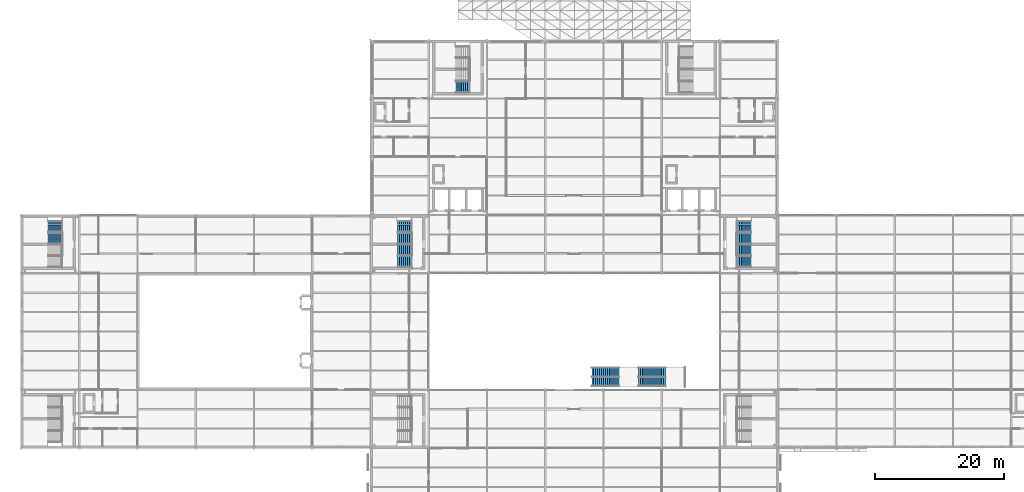
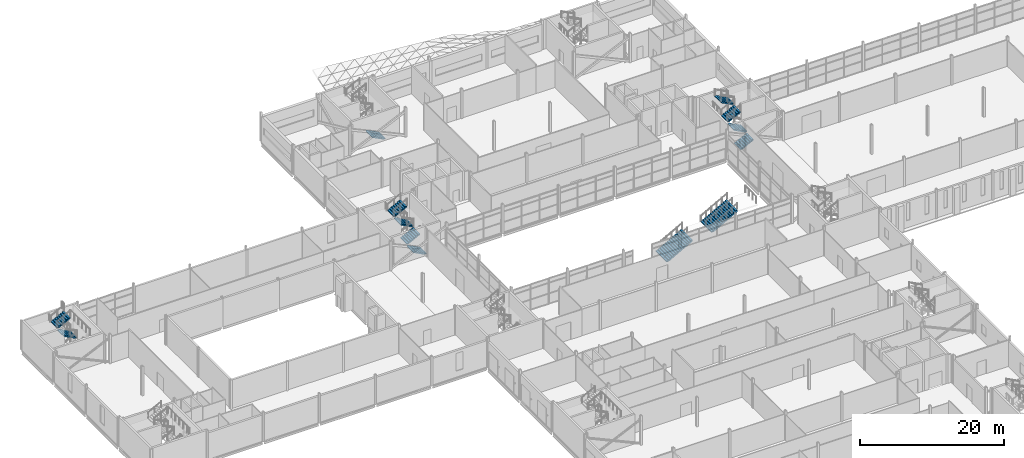
# One storey, part 92 of 112: 13 stair flights, 5 elements without a shape of their own.
"""IFC4 building model written with IfcOpenShell, lengths in metres."""

from ifc_helpers import new_model, si_unit, direction, frame, origin, place, context, subcontext, project, spatial, polyline, outline, extrude, material, type_object, element, aggregate, save


model = new_model("IFC4")

# Units and contexts
model_context = context("Model", 3, precision=1e-05, world=origin(), true_north=direction((0.0, 1.0)))
body_context = subcontext(model_context, "Body", "Model", "MODEL_VIEW")
ifc_project = project(units=[si_unit("LENGTHUNIT", "METRE"), si_unit("AREAUNIT", "SQUARE_METRE"), si_unit("VOLUMEUNIT", "CUBIC_METRE"), si_unit("PLANEANGLEUNIT", "RADIAN"), si_unit("MASSUNIT", "GRAM", prefix="KILO")], contexts=[model_context])

# Site, building, storey
site_placement = place(None, origin())
site = spatial("IfcSite", under=ifc_project, at=site_placement, CompositionType="ELEMENT")
building_placement = place(site_placement, origin())
building = spatial("IfcBuilding", under=site, at=building_placement, Name="Shorebreak Coast Museum", CompositionType="ELEMENT")
storey_placement = place(building_placement, frame((0.0, 0.0, 6.0)))
storey = spatial("IfcBuildingStorey", under=building, at=storey_placement, Name="L01", CompositionType="ELEMENT", Elevation=6.0)

# Stair, stair flights
ifc_material_1 = material(Name="Concrete N40 (40 MPa)", Category="concrete")
stair_type_1 = type_object("IfcStairType", Name="Feature stair run 5 m", PredefinedType="TWO_STRAIGHT_RUN_STAIR", material=ifc_material_1)
stair_1_placement = place(storey_placement, origin())
stair_1 = element("IfcStair", 1, at=stair_1_placement, inside=storey, type_object=stair_type_1, Name="Feature stair FS-L01", PredefinedType="TWO_STRAIGHT_RUN_STAIR")
ifc_material_2 = material(Name="Concrete N40 (40 MPa)", Category="concrete")
stair_flight_type_1 = type_object("IfcStairFlightType", Name="Feature stair flight 15 risers", PredefinedType="STRAIGHT", material=ifc_material_2)
stair_flight_1_placement = place(storey_placement, frame((88.199951171875, 65.0, 0.0), z_axis=(0.0, 0.0, 1.0), x_axis=(1.0, 0.0, 0.0)))
stair_flight_1 = element("IfcStairFlight", 2, at=stair_flight_1_placement, type_object=stair_flight_type_1, Name="FS-L01 flight 1", NumberOfRisers=15, NumberOfTreads=14, PredefinedType="STRAIGHT", RiserHeight=0.166666667, TreadLength=0.3, context=body_context, shape_type="SweptSolid", body=[
    extrude(outline(polyline([(0.0, 0.0), (0.0, 0.166748046875), (0.300048828125, 0.166748046875), (0.300048828125, 0.333251953125), (0.60009765625, 0.333251953125), (0.60009765625, 0.5), (0.89990234375, 0.5), (0.89990234375, 0.666748046875), (1.199951171875, 0.666748046875), (1.199951171875, 0.833251953125), (1.5, 0.833251953125), (1.5, 1.0), (1.800048828125, 1.0), (1.800048828125, 1.166748046875), (2.10009765625, 1.166748046875), (2.10009765625, 1.333251953125), (2.39990234375, 1.333251953125), (2.39990234375, 1.5), (2.699951171875, 1.5), (2.699951171875, 1.666748046875), (3.0, 1.666748046875), (3.0, 1.833251953125), (3.300048828125, 1.833251953125), (3.300048828125, 2.0), (3.60009765625, 2.0), (3.60009765625, 2.166748046875), (3.89990234375, 2.166748046875), (3.89990234375, 2.333251953125), (4.199951171875, 2.333251953125), (4.199951171875, 2.5), (4.199951171875, 2.1044921875), (0.41162109375, 0.0), (0.0, 0.0)])), frame((0.0, 1.5, 0.0), z_axis=(0.0, -1.0, 0.0), x_axis=(1.0, 0.0, 0.0)), (0.0, 0.0, 1.0), 0.993408203125),
    extrude(outline(polyline([(0.0, 0.0), (0.0, 0.166748046875), (0.300048828125, 0.166748046875), (0.300048828125, 0.333251953125), (0.60009765625, 0.333251953125), (0.60009765625, 0.5), (0.89990234375, 0.5), (0.89990234375, 0.666748046875), (1.199951171875, 0.666748046875), (1.199951171875, 0.833251953125), (1.5, 0.833251953125), (1.5, 1.0), (1.800048828125, 1.0), (1.800048828125, 1.166748046875), (2.10009765625, 1.166748046875), (2.10009765625, 1.333251953125), (2.39990234375, 1.333251953125), (2.39990234375, 1.5), (2.699951171875, 1.5), (2.699951171875, 1.666748046875), (3.0, 1.666748046875), (3.0, 1.833251953125), (3.300048828125, 1.833251953125), (3.300048828125, 2.0), (3.60009765625, 2.0), (3.60009765625, 2.166748046875), (3.89990234375, 2.166748046875), (3.89990234375, 2.333251953125), (4.199951171875, 2.333251953125), (4.199951171875, 2.5), (4.199951171875, 2.1044921875), (0.41162109375, 0.0), (0.0, 0.0)])), frame((0.0, 0.49658203125, 0.0), z_axis=(0.0, -1.0, 0.0), x_axis=(1.0, 0.0, 0.0)), (0.0, 0.0, 1.0), 0.993408203125),
    extrude(outline(polyline([(0.0, 0.0), (0.0, 0.166748046875), (0.300048828125, 0.166748046875), (0.300048828125, 0.333251953125), (0.60009765625, 0.333251953125), (0.60009765625, 0.5), (0.89990234375, 0.5), (0.89990234375, 0.666748046875), (1.199951171875, 0.666748046875), (1.199951171875, 0.833251953125), (1.5, 0.833251953125), (1.5, 1.0), (1.800048828125, 1.0), (1.800048828125, 1.166748046875), (2.10009765625, 1.166748046875), (2.10009765625, 1.333251953125), (2.39990234375, 1.333251953125), (2.39990234375, 1.5), (2.699951171875, 1.5), (2.699951171875, 1.666748046875), (3.0, 1.666748046875), (3.0, 1.833251953125), (3.300048828125, 1.833251953125), (3.300048828125, 2.0), (3.60009765625, 2.0), (3.60009765625, 2.166748046875), (3.89990234375, 2.166748046875), (3.89990234375, 2.333251953125), (4.199951171875, 2.333251953125), (4.199951171875, 2.5), (4.199951171875, 2.1044921875), (0.41162109375, 0.0), (0.0, 0.0)])), frame((0.0, -0.506591796875, 0.0), z_axis=(0.0, -1.0, 0.0), x_axis=(1.0, 0.0, 0.0)), (0.0, 0.0, 1.0), 0.993408203125),
])
stair_flight_2_placement = place(storey_placement, frame((95.39990234375, 65.0, 2.5), z_axis=(0.0, 0.0, 1.0), x_axis=(1.0, 0.0, 0.0)))
stair_flight_2 = element("IfcStairFlight", 3, at=stair_flight_2_placement, type_object=stair_flight_type_1, Name="FS-L01 flight 2", NumberOfRisers=15, NumberOfTreads=14, PredefinedType="STRAIGHT", RiserHeight=0.166666667, TreadLength=0.3, context=body_context, shape_type="SweptSolid", body=[
    extrude(outline(polyline([(0.0, 0.0), (0.0, 0.166748046875), (0.300048828125, 0.166748046875), (0.300048828125, 0.333251953125), (0.60009765625, 0.333251953125), (0.60009765625, 0.5), (0.89990234375, 0.5), (0.89990234375, 0.666748046875), (1.199951171875, 0.666748046875), (1.199951171875, 0.833251953125), (1.5, 0.833251953125), (1.5, 1.0), (1.800048828125, 1.0), (1.800048828125, 1.166748046875), (2.10009765625, 1.166748046875), (2.10009765625, 1.333251953125), (2.39990234375, 1.333251953125), (2.39990234375, 1.5), (2.699951171875, 1.5), (2.699951171875, 1.666748046875), (3.0, 1.666748046875), (3.0, 1.833251953125), (3.300048828125, 1.833251953125), (3.300048828125, 2.0), (3.60009765625, 2.0), (3.60009765625, 2.166748046875), (3.89990234375, 2.166748046875), (3.89990234375, 2.333251953125), (4.199951171875, 2.333251953125), (4.199951171875, 2.5), (4.199951171875, 2.1044921875), (0.41162109375, 0.0), (0.0, 0.0)])), frame((0.0, 1.5, 0.0), z_axis=(0.0, -1.0, 0.0), x_axis=(1.0, 0.0, 0.0)), (0.0, 0.0, 1.0), 0.993408203125),
    extrude(outline(polyline([(0.0, 0.0), (0.0, 0.166748046875), (0.300048828125, 0.166748046875), (0.300048828125, 0.333251953125), (0.60009765625, 0.333251953125), (0.60009765625, 0.5), (0.89990234375, 0.5), (0.89990234375, 0.666748046875), (1.199951171875, 0.666748046875), (1.199951171875, 0.833251953125), (1.5, 0.833251953125), (1.5, 1.0), (1.800048828125, 1.0), (1.800048828125, 1.166748046875), (2.10009765625, 1.166748046875), (2.10009765625, 1.333251953125), (2.39990234375, 1.333251953125), (2.39990234375, 1.5), (2.699951171875, 1.5), (2.699951171875, 1.666748046875), (3.0, 1.666748046875), (3.0, 1.833251953125), (3.300048828125, 1.833251953125), (3.300048828125, 2.0), (3.60009765625, 2.0), (3.60009765625, 2.166748046875), (3.89990234375, 2.166748046875), (3.89990234375, 2.333251953125), (4.199951171875, 2.333251953125), (4.199951171875, 2.5), (4.199951171875, 2.1044921875), (0.41162109375, 0.0), (0.0, 0.0)])), frame((0.0, 0.49658203125, 0.0), z_axis=(0.0, -1.0, 0.0), x_axis=(1.0, 0.0, 0.0)), (0.0, 0.0, 1.0), 0.993408203125),
    extrude(outline(polyline([(0.0, 0.0), (0.0, 0.166748046875), (0.300048828125, 0.166748046875), (0.300048828125, 0.333251953125), (0.60009765625, 0.333251953125), (0.60009765625, 0.5), (0.89990234375, 0.5), (0.89990234375, 0.666748046875), (1.199951171875, 0.666748046875), (1.199951171875, 0.833251953125), (1.5, 0.833251953125), (1.5, 1.0), (1.800048828125, 1.0), (1.800048828125, 1.166748046875), (2.10009765625, 1.166748046875), (2.10009765625, 1.333251953125), (2.39990234375, 1.333251953125), (2.39990234375, 1.5), (2.699951171875, 1.5), (2.699951171875, 1.666748046875), (3.0, 1.666748046875), (3.0, 1.833251953125), (3.300048828125, 1.833251953125), (3.300048828125, 2.0), (3.60009765625, 2.0), (3.60009765625, 2.166748046875), (3.89990234375, 2.166748046875), (3.89990234375, 2.333251953125), (4.199951171875, 2.333251953125), (4.199951171875, 2.5), (4.199951171875, 2.1044921875), (0.41162109375, 0.0), (0.0, 0.0)])), frame((0.0, -0.506591796875, 0.0), z_axis=(0.0, -1.0, 0.0), x_axis=(1.0, 0.0, 0.0)), (0.0, 0.0, 1.0), 0.993408203125),
])
aggregate(stair_1, [stair_flight_1, stair_flight_2])

ifc_material_3 = material(Name="Concrete N40 (40 MPa)", Category="concrete")
stair_type_2 = type_object("IfcStairType", Name="Stair run 5 m", PredefinedType="DOUBLE_RETURN_STAIR", material=ifc_material_3)
stair_2_placement = place(storey_placement, origin())
stair_2 = element("IfcStair", 4, at=stair_2_placement, inside=storey, type_object=stair_type_2, Name="Exit stair ST03-L01", PredefinedType="DOUBLE_RETURN_STAIR")
ifc_material_4 = material(Name="Concrete N40 (40 MPa)", Category="concrete")
stair_flight_type_2 = type_object("IfcStairFlightType", Name="Stair flight 8 risers 156.25", PredefinedType="STRAIGHT", material=ifc_material_4)
stair_flight_3_placement = place(storey_placement, frame((60.300048828125, 82.800048828125, 0.0), z_axis=(0.0, 0.0, 1.0), x_axis=(-1.0, 0.0, 0.0)))
stair_flight_3 = element("IfcStairFlight", 5, at=stair_flight_3_placement, type_object=stair_flight_type_2, Name="ST03-L01 flight 1", NumberOfRisers=8, NumberOfTreads=7, PredefinedType="STRAIGHT", RiserHeight=0.15625, TreadLength=0.3, context=body_context, shape_type="SweptSolid", body=[
    extrude(outline(polyline([(0.0, 0.0), (0.0, 0.15625), (0.300048828125, 0.15625), (0.300048828125, 0.3125), (0.60009765625, 0.3125), (0.60009765625, 0.46875), (0.89990234375, 0.46875), (0.89990234375, 0.625), (1.199951171875, 0.625), (1.199951171875, 0.78125), (1.5, 0.78125), (1.5, 0.9375), (1.800048828125, 0.9375), (1.800048828125, 1.09375), (2.10009765625, 1.09375), (2.10009765625, 1.25), (2.10009765625, 0.9248046875), (0.324462890625, 0.0), (0.0, 0.0)])), frame((0.0, 0.89990234375, 0.0), z_axis=(0.0, -1.0, 0.0), x_axis=(1.0, 0.0, 0.0)), (0.0, 0.0, 1.0), 0.59326171875),
    extrude(outline(polyline([(0.0, 0.0), (0.0, 0.15625), (0.300048828125, 0.15625), (0.300048828125, 0.3125), (0.60009765625, 0.3125), (0.60009765625, 0.46875), (0.89990234375, 0.46875), (0.89990234375, 0.625), (1.199951171875, 0.625), (1.199951171875, 0.78125), (1.5, 0.78125), (1.5, 0.9375), (1.800048828125, 0.9375), (1.800048828125, 1.09375), (2.10009765625, 1.09375), (2.10009765625, 1.25), (2.10009765625, 0.9248046875), (0.324462890625, 0.0), (0.0, 0.0)])), frame((0.0, 0.296630859375, 0.0), z_axis=(0.0, -1.0, 0.0), x_axis=(1.0, 0.0, 0.0)), (0.0, 0.0, 1.0), 0.59326171875),
    extrude(outline(polyline([(0.0, 0.0), (0.0, 0.15625), (0.300048828125, 0.15625), (0.300048828125, 0.3125), (0.60009765625, 0.3125), (0.60009765625, 0.46875), (0.89990234375, 0.46875), (0.89990234375, 0.625), (1.199951171875, 0.625), (1.199951171875, 0.78125), (1.5, 0.78125), (1.5, 0.9375), (1.800048828125, 0.9375), (1.800048828125, 1.09375), (2.10009765625, 1.09375), (2.10009765625, 1.25), (2.10009765625, 0.9248046875), (0.324462890625, 0.0), (0.0, 0.0)])), frame((0.0, -0.306640625, 0.0), z_axis=(0.0, -1.0, 0.0), x_axis=(1.0, 0.0, 0.0)), (0.0, 0.0, 1.0), 0.59326171875),
])
stair_flight_4_placement = place(storey_placement, frame((58.199951171875, 84.60009765625, 1.25), z_axis=(0.0, 0.0, 1.0), x_axis=(1.0, 0.0, 0.0)))
stair_flight_4 = element("IfcStairFlight", 6, at=stair_flight_4_placement, type_object=stair_flight_type_2, Name="ST03-L01 flight 2", NumberOfRisers=8, NumberOfTreads=7, PredefinedType="STRAIGHT", RiserHeight=0.15625, TreadLength=0.3, context=body_context, shape_type="SweptSolid", body=[
    extrude(outline(polyline([(0.0, 0.0), (0.0, 0.15625), (0.300048828125, 0.15625), (0.300048828125, 0.3125), (0.60009765625, 0.3125), (0.60009765625, 0.46875), (0.89990234375, 0.46875), (0.89990234375, 0.625), (1.199951171875, 0.625), (1.199951171875, 0.78125), (1.5, 0.78125), (1.5, 0.9375), (1.800048828125, 0.9375), (1.800048828125, 1.09375), (2.10009765625, 1.09375), (2.10009765625, 1.25), (2.10009765625, 0.9248046875), (0.324462890625, 0.0), (0.0, 0.0)])), frame((0.0, 0.89990234375, 0.0), z_axis=(0.0, -1.0, 0.0), x_axis=(1.0, 0.0, 0.0)), (0.0, 0.0, 1.0), 0.59326171875),
    extrude(outline(polyline([(0.0, 0.0), (0.0, 0.15625), (0.300048828125, 0.15625), (0.300048828125, 0.3125), (0.60009765625, 0.3125), (0.60009765625, 0.46875), (0.89990234375, 0.46875), (0.89990234375, 0.625), (1.199951171875, 0.625), (1.199951171875, 0.78125), (1.5, 0.78125), (1.5, 0.9375), (1.800048828125, 0.9375), (1.800048828125, 1.09375), (2.10009765625, 1.09375), (2.10009765625, 1.25), (2.10009765625, 0.9248046875), (0.324462890625, 0.0), (0.0, 0.0)])), frame((0.0, 0.296630859375, 0.0), z_axis=(0.0, -1.0, 0.0), x_axis=(1.0, 0.0, 0.0)), (0.0, 0.0, 1.0), 0.59326171875),
    extrude(outline(polyline([(0.0, 0.0), (0.0, 0.15625), (0.300048828125, 0.15625), (0.300048828125, 0.3125), (0.60009765625, 0.3125), (0.60009765625, 0.46875), (0.89990234375, 0.46875), (0.89990234375, 0.625), (1.199951171875, 0.625), (1.199951171875, 0.78125), (1.5, 0.78125), (1.5, 0.9375), (1.800048828125, 0.9375), (1.800048828125, 1.09375), (2.10009765625, 1.09375), (2.10009765625, 1.25), (2.10009765625, 0.9248046875), (0.324462890625, 0.0), (0.0, 0.0)])), frame((0.0, -0.306640625, 0.0), z_axis=(0.0, -1.0, 0.0), x_axis=(1.0, 0.0, 0.0)), (0.0, 0.0, 1.0), 0.59326171875),
])
stair_flight_5_placement = place(storey_placement, frame((60.300048828125, 86.39990234375, 2.5), z_axis=(0.0, 0.0, 1.0), x_axis=(-1.0, 0.0, 0.0)))
stair_flight_5 = element("IfcStairFlight", 7, at=stair_flight_5_placement, type_object=stair_flight_type_2, Name="ST03-L01 flight 3", NumberOfRisers=8, NumberOfTreads=7, PredefinedType="STRAIGHT", RiserHeight=0.15625, TreadLength=0.3, context=body_context, shape_type="SweptSolid", body=[
    extrude(outline(polyline([(0.0, 0.0), (0.0, 0.15625), (0.300048828125, 0.15625), (0.300048828125, 0.3125), (0.60009765625, 0.3125), (0.60009765625, 0.46875), (0.89990234375, 0.46875), (0.89990234375, 0.625), (1.199951171875, 0.625), (1.199951171875, 0.78125), (1.5, 0.78125), (1.5, 0.9375), (1.800048828125, 0.9375), (1.800048828125, 1.09375), (2.10009765625, 1.09375), (2.10009765625, 1.25), (2.10009765625, 0.9248046875), (0.324462890625, 0.0), (0.0, 0.0)])), frame((0.0, 0.89990234375, 0.0), z_axis=(0.0, -1.0, 0.0), x_axis=(1.0, 0.0, 0.0)), (0.0, 0.0, 1.0), 0.59326171875),
    extrude(outline(polyline([(0.0, 0.0), (0.0, 0.15625), (0.300048828125, 0.15625), (0.300048828125, 0.3125), (0.60009765625, 0.3125), (0.60009765625, 0.46875), (0.89990234375, 0.46875), (0.89990234375, 0.625), (1.199951171875, 0.625), (1.199951171875, 0.78125), (1.5, 0.78125), (1.5, 0.9375), (1.800048828125, 0.9375), (1.800048828125, 1.09375), (2.10009765625, 1.09375), (2.10009765625, 1.25), (2.10009765625, 0.9248046875), (0.324462890625, 0.0), (0.0, 0.0)])), frame((0.0, 0.296630859375, 0.0), z_axis=(0.0, -1.0, 0.0), x_axis=(1.0, 0.0, 0.0)), (0.0, 0.0, 1.0), 0.59326171875),
    extrude(outline(polyline([(0.0, 0.0), (0.0, 0.15625), (0.300048828125, 0.15625), (0.300048828125, 0.3125), (0.60009765625, 0.3125), (0.60009765625, 0.46875), (0.89990234375, 0.46875), (0.89990234375, 0.625), (1.199951171875, 0.625), (1.199951171875, 0.78125), (1.5, 0.78125), (1.5, 0.9375), (1.800048828125, 0.9375), (1.800048828125, 1.09375), (2.10009765625, 1.09375), (2.10009765625, 1.25), (2.10009765625, 0.9248046875), (0.324462890625, 0.0), (0.0, 0.0)])), frame((0.0, -0.306640625, 0.0), z_axis=(0.0, -1.0, 0.0), x_axis=(1.0, 0.0, 0.0)), (0.0, 0.0, 1.0), 0.59326171875),
])
stair_flight_6_placement = place(storey_placement, frame((58.199951171875, 88.199951171875, 3.75), z_axis=(0.0, 0.0, 1.0), x_axis=(1.0, 0.0, 0.0)))
stair_flight_6 = element("IfcStairFlight", 8, at=stair_flight_6_placement, type_object=stair_flight_type_2, Name="ST03-L01 flight 4", NumberOfRisers=8, NumberOfTreads=7, PredefinedType="STRAIGHT", RiserHeight=0.15625, TreadLength=0.3, context=body_context, shape_type="SweptSolid", body=[
    extrude(outline(polyline([(0.0, 0.0), (0.0, 0.15625), (0.300048828125, 0.15625), (0.300048828125, 0.3125), (0.60009765625, 0.3125), (0.60009765625, 0.46875), (0.89990234375, 0.46875), (0.89990234375, 0.625), (1.199951171875, 0.625), (1.199951171875, 0.78125), (1.5, 0.78125), (1.5, 0.9375), (1.800048828125, 0.9375), (1.800048828125, 1.09375), (2.10009765625, 1.09375), (2.10009765625, 1.25), (2.10009765625, 0.9248046875), (0.324462890625, 0.0), (0.0, 0.0)])), frame((0.0, 0.89990234375, 0.0), z_axis=(0.0, -1.0, 0.0), x_axis=(1.0, 0.0, 0.0)), (0.0, 0.0, 1.0), 0.59326171875),
    extrude(outline(polyline([(0.0, 0.0), (0.0, 0.15625), (0.300048828125, 0.15625), (0.300048828125, 0.3125), (0.60009765625, 0.3125), (0.60009765625, 0.46875), (0.89990234375, 0.46875), (0.89990234375, 0.625), (1.199951171875, 0.625), (1.199951171875, 0.78125), (1.5, 0.78125), (1.5, 0.9375), (1.800048828125, 0.9375), (1.800048828125, 1.09375), (2.10009765625, 1.09375), (2.10009765625, 1.25), (2.10009765625, 0.9248046875), (0.324462890625, 0.0), (0.0, 0.0)])), frame((0.0, 0.296630859375, 0.0), z_axis=(0.0, -1.0, 0.0), x_axis=(1.0, 0.0, 0.0)), (0.0, 0.0, 1.0), 0.59326171875),
    extrude(outline(polyline([(0.0, 0.0), (0.0, 0.15625), (0.300048828125, 0.15625), (0.300048828125, 0.3125), (0.60009765625, 0.3125), (0.60009765625, 0.46875), (0.89990234375, 0.46875), (0.89990234375, 0.625), (1.199951171875, 0.625), (1.199951171875, 0.78125), (1.5, 0.78125), (1.5, 0.9375), (1.800048828125, 0.9375), (1.800048828125, 1.09375), (2.10009765625, 1.09375), (2.10009765625, 1.25), (2.10009765625, 0.9248046875), (0.324462890625, 0.0), (0.0, 0.0)])), frame((0.0, -0.306640625, 0.0), z_axis=(0.0, -1.0, 0.0), x_axis=(1.0, 0.0, 0.0)), (0.0, 0.0, 1.0), 0.59326171875),
])
aggregate(stair_2, [stair_flight_3, stair_flight_4, stair_flight_5, stair_flight_6])

stair_3_placement = place(storey_placement, origin())
stair_3 = element("IfcStair", 9, at=stair_3_placement, inside=storey, type_object=stair_type_2, Name="Exit stair ST04-L01", PredefinedType="DOUBLE_RETURN_STAIR")
stair_flight_7_placement = place(storey_placement, frame((110.699951171875, 82.800048828125, 0.0), z_axis=(0.0, 0.0, 1.0), x_axis=(1.0, 0.0, 0.0)))
stair_flight_7 = element("IfcStairFlight", 10, at=stair_flight_7_placement, type_object=stair_flight_type_2, Name="ST04-L01 flight 1", NumberOfRisers=8, NumberOfTreads=7, PredefinedType="STRAIGHT", RiserHeight=0.15625, TreadLength=0.3, context=body_context, shape_type="SweptSolid", body=[
    extrude(outline(polyline([(0.0, 0.0), (0.0, 0.15625), (0.300048828125, 0.15625), (0.300048828125, 0.3125), (0.60009765625, 0.3125), (0.60009765625, 0.46875), (0.89990234375, 0.46875), (0.89990234375, 0.625), (1.199951171875, 0.625), (1.199951171875, 0.78125), (1.5, 0.78125), (1.5, 0.9375), (1.800048828125, 0.9375), (1.800048828125, 1.09375), (2.10009765625, 1.09375), (2.10009765625, 1.25), (2.10009765625, 0.9248046875), (0.324462890625, 0.0), (0.0, 0.0)])), frame((0.0, 0.89990234375, 0.0), z_axis=(0.0, -1.0, 0.0), x_axis=(1.0, 0.0, 0.0)), (0.0, 0.0, 1.0), 0.59326171875),
    extrude(outline(polyline([(0.0, 0.0), (0.0, 0.15625), (0.300048828125, 0.15625), (0.300048828125, 0.3125), (0.60009765625, 0.3125), (0.60009765625, 0.46875), (0.89990234375, 0.46875), (0.89990234375, 0.625), (1.199951171875, 0.625), (1.199951171875, 0.78125), (1.5, 0.78125), (1.5, 0.9375), (1.800048828125, 0.9375), (1.800048828125, 1.09375), (2.10009765625, 1.09375), (2.10009765625, 1.25), (2.10009765625, 0.9248046875), (0.324462890625, 0.0), (0.0, 0.0)])), frame((0.0, 0.296630859375, 0.0), z_axis=(0.0, -1.0, 0.0), x_axis=(1.0, 0.0, 0.0)), (0.0, 0.0, 1.0), 0.59326171875),
    extrude(outline(polyline([(0.0, 0.0), (0.0, 0.15625), (0.300048828125, 0.15625), (0.300048828125, 0.3125), (0.60009765625, 0.3125), (0.60009765625, 0.46875), (0.89990234375, 0.46875), (0.89990234375, 0.625), (1.199951171875, 0.625), (1.199951171875, 0.78125), (1.5, 0.78125), (1.5, 0.9375), (1.800048828125, 0.9375), (1.800048828125, 1.09375), (2.10009765625, 1.09375), (2.10009765625, 1.25), (2.10009765625, 0.9248046875), (0.324462890625, 0.0), (0.0, 0.0)])), frame((0.0, -0.306640625, 0.0), z_axis=(0.0, -1.0, 0.0), x_axis=(1.0, 0.0, 0.0)), (0.0, 0.0, 1.0), 0.59326171875),
])
stair_flight_8_placement = place(storey_placement, frame((112.800048828125, 84.60009765625, 1.25), z_axis=(0.0, 0.0, 1.0), x_axis=(-1.0, 0.0, 0.0)))
stair_flight_8 = element("IfcStairFlight", 11, at=stair_flight_8_placement, type_object=stair_flight_type_2, Name="ST04-L01 flight 2", NumberOfRisers=8, NumberOfTreads=7, PredefinedType="STRAIGHT", RiserHeight=0.15625, TreadLength=0.3, context=body_context, shape_type="SweptSolid", body=[
    extrude(outline(polyline([(0.0, 0.0), (0.0, 0.15625), (0.300048828125, 0.15625), (0.300048828125, 0.3125), (0.60009765625, 0.3125), (0.60009765625, 0.46875), (0.89990234375, 0.46875), (0.89990234375, 0.625), (1.199951171875, 0.625), (1.199951171875, 0.78125), (1.5, 0.78125), (1.5, 0.9375), (1.800048828125, 0.9375), (1.800048828125, 1.09375), (2.10009765625, 1.09375), (2.10009765625, 1.25), (2.10009765625, 0.9248046875), (0.324462890625, 0.0), (0.0, 0.0)])), frame((0.0, 0.89990234375, 0.0), z_axis=(0.0, -1.0, 0.0), x_axis=(1.0, 0.0, 0.0)), (0.0, 0.0, 1.0), 0.59326171875),
    extrude(outline(polyline([(0.0, 0.0), (0.0, 0.15625), (0.300048828125, 0.15625), (0.300048828125, 0.3125), (0.60009765625, 0.3125), (0.60009765625, 0.46875), (0.89990234375, 0.46875), (0.89990234375, 0.625), (1.199951171875, 0.625), (1.199951171875, 0.78125), (1.5, 0.78125), (1.5, 0.9375), (1.800048828125, 0.9375), (1.800048828125, 1.09375), (2.10009765625, 1.09375), (2.10009765625, 1.25), (2.10009765625, 0.9248046875), (0.324462890625, 0.0), (0.0, 0.0)])), frame((0.0, 0.296630859375, 0.0), z_axis=(0.0, -1.0, 0.0), x_axis=(1.0, 0.0, 0.0)), (0.0, 0.0, 1.0), 0.59326171875),
    extrude(outline(polyline([(0.0, 0.0), (0.0, 0.15625), (0.300048828125, 0.15625), (0.300048828125, 0.3125), (0.60009765625, 0.3125), (0.60009765625, 0.46875), (0.89990234375, 0.46875), (0.89990234375, 0.625), (1.199951171875, 0.625), (1.199951171875, 0.78125), (1.5, 0.78125), (1.5, 0.9375), (1.800048828125, 0.9375), (1.800048828125, 1.09375), (2.10009765625, 1.09375), (2.10009765625, 1.25), (2.10009765625, 0.9248046875), (0.324462890625, 0.0), (0.0, 0.0)])), frame((0.0, -0.306640625, 0.0), z_axis=(0.0, -1.0, 0.0), x_axis=(1.0, 0.0, 0.0)), (0.0, 0.0, 1.0), 0.59326171875),
])
stair_flight_9_placement = place(storey_placement, frame((110.699951171875, 86.39990234375, 2.5), z_axis=(0.0, 0.0, 1.0), x_axis=(1.0, 0.0, 0.0)))
stair_flight_9 = element("IfcStairFlight", 12, at=stair_flight_9_placement, type_object=stair_flight_type_2, Name="ST04-L01 flight 3", NumberOfRisers=8, NumberOfTreads=7, PredefinedType="STRAIGHT", RiserHeight=0.15625, TreadLength=0.3, context=body_context, shape_type="SweptSolid", body=[
    extrude(outline(polyline([(0.0, 0.0), (0.0, 0.15625), (0.300048828125, 0.15625), (0.300048828125, 0.3125), (0.60009765625, 0.3125), (0.60009765625, 0.46875), (0.89990234375, 0.46875), (0.89990234375, 0.625), (1.199951171875, 0.625), (1.199951171875, 0.78125), (1.5, 0.78125), (1.5, 0.9375), (1.800048828125, 0.9375), (1.800048828125, 1.09375), (2.10009765625, 1.09375), (2.10009765625, 1.25), (2.10009765625, 0.9248046875), (0.324462890625, 0.0), (0.0, 0.0)])), frame((0.0, 0.89990234375, 0.0), z_axis=(0.0, -1.0, 0.0), x_axis=(1.0, 0.0, 0.0)), (0.0, 0.0, 1.0), 0.59326171875),
    extrude(outline(polyline([(0.0, 0.0), (0.0, 0.15625), (0.300048828125, 0.15625), (0.300048828125, 0.3125), (0.60009765625, 0.3125), (0.60009765625, 0.46875), (0.89990234375, 0.46875), (0.89990234375, 0.625), (1.199951171875, 0.625), (1.199951171875, 0.78125), (1.5, 0.78125), (1.5, 0.9375), (1.800048828125, 0.9375), (1.800048828125, 1.09375), (2.10009765625, 1.09375), (2.10009765625, 1.25), (2.10009765625, 0.9248046875), (0.324462890625, 0.0), (0.0, 0.0)])), frame((0.0, 0.296630859375, 0.0), z_axis=(0.0, -1.0, 0.0), x_axis=(1.0, 0.0, 0.0)), (0.0, 0.0, 1.0), 0.59326171875),
    extrude(outline(polyline([(0.0, 0.0), (0.0, 0.15625), (0.300048828125, 0.15625), (0.300048828125, 0.3125), (0.60009765625, 0.3125), (0.60009765625, 0.46875), (0.89990234375, 0.46875), (0.89990234375, 0.625), (1.199951171875, 0.625), (1.199951171875, 0.78125), (1.5, 0.78125), (1.5, 0.9375), (1.800048828125, 0.9375), (1.800048828125, 1.09375), (2.10009765625, 1.09375), (2.10009765625, 1.25), (2.10009765625, 0.9248046875), (0.324462890625, 0.0), (0.0, 0.0)])), frame((0.0, -0.306640625, 0.0), z_axis=(0.0, -1.0, 0.0), x_axis=(1.0, 0.0, 0.0)), (0.0, 0.0, 1.0), 0.59326171875),
])
stair_flight_10_placement = place(storey_placement, frame((112.800048828125, 88.199951171875, 3.75), z_axis=(0.0, 0.0, 1.0), x_axis=(-1.0, 0.0, 0.0)))
stair_flight_10 = element("IfcStairFlight", 13, at=stair_flight_10_placement, type_object=stair_flight_type_2, Name="ST04-L01 flight 4", NumberOfRisers=8, NumberOfTreads=7, PredefinedType="STRAIGHT", RiserHeight=0.15625, TreadLength=0.3, context=body_context, shape_type="SweptSolid", body=[
    extrude(outline(polyline([(0.0, 0.0), (0.0, 0.15625), (0.300048828125, 0.15625), (0.300048828125, 0.3125), (0.60009765625, 0.3125), (0.60009765625, 0.46875), (0.89990234375, 0.46875), (0.89990234375, 0.625), (1.199951171875, 0.625), (1.199951171875, 0.78125), (1.5, 0.78125), (1.5, 0.9375), (1.800048828125, 0.9375), (1.800048828125, 1.09375), (2.10009765625, 1.09375), (2.10009765625, 1.25), (2.10009765625, 0.9248046875), (0.324462890625, 0.0), (0.0, 0.0)])), frame((0.0, 0.89990234375, 0.0), z_axis=(0.0, -1.0, 0.0), x_axis=(1.0, 0.0, 0.0)), (0.0, 0.0, 1.0), 0.59326171875),
    extrude(outline(polyline([(0.0, 0.0), (0.0, 0.15625), (0.300048828125, 0.15625), (0.300048828125, 0.3125), (0.60009765625, 0.3125), (0.60009765625, 0.46875), (0.89990234375, 0.46875), (0.89990234375, 0.625), (1.199951171875, 0.625), (1.199951171875, 0.78125), (1.5, 0.78125), (1.5, 0.9375), (1.800048828125, 0.9375), (1.800048828125, 1.09375), (2.10009765625, 1.09375), (2.10009765625, 1.25), (2.10009765625, 0.9248046875), (0.324462890625, 0.0), (0.0, 0.0)])), frame((0.0, 0.296630859375, 0.0), z_axis=(0.0, -1.0, 0.0), x_axis=(1.0, 0.0, 0.0)), (0.0, 0.0, 1.0), 0.59326171875),
    extrude(outline(polyline([(0.0, 0.0), (0.0, 0.15625), (0.300048828125, 0.15625), (0.300048828125, 0.3125), (0.60009765625, 0.3125), (0.60009765625, 0.46875), (0.89990234375, 0.46875), (0.89990234375, 0.625), (1.199951171875, 0.625), (1.199951171875, 0.78125), (1.5, 0.78125), (1.5, 0.9375), (1.800048828125, 0.9375), (1.800048828125, 1.09375), (2.10009765625, 1.09375), (2.10009765625, 1.25), (2.10009765625, 0.9248046875), (0.324462890625, 0.0), (0.0, 0.0)])), frame((0.0, -0.306640625, 0.0), z_axis=(0.0, -1.0, 0.0), x_axis=(1.0, 0.0, 0.0)), (0.0, 0.0, 1.0), 0.59326171875),
])
aggregate(stair_3, [stair_flight_7, stair_flight_8, stair_flight_9, stair_flight_10])

stair_4_placement = place(storey_placement, origin())
stair_4 = element("IfcStair", 14, at=stair_4_placement, inside=storey, type_object=stair_type_2, Name="Exit stair ST06-L01", PredefinedType="DOUBLE_RETURN_STAIR")
stair_flight_11_placement = place(storey_placement, frame((6.300048828125, 86.39990234375, 2.5), z_axis=(0.0, 0.0, 1.0), x_axis=(-1.0, 0.0, 0.0)))
stair_flight_11 = element("IfcStairFlight", 15, at=stair_flight_11_placement, type_object=stair_flight_type_2, Name="ST06-L01 flight 3", NumberOfRisers=8, NumberOfTreads=7, PredefinedType="STRAIGHT", RiserHeight=0.15625, TreadLength=0.3, context=body_context, shape_type="SweptSolid", body=[
    extrude(outline(polyline([(0.0, 0.0), (0.0, 0.15625), (0.300048828125, 0.15625), (0.300048828125, 0.3125), (0.60009765625, 0.3125), (0.60009765625, 0.46875), (0.89990234375, 0.46875), (0.89990234375, 0.625), (1.199951171875, 0.625), (1.199951171875, 0.78125), (1.5, 0.78125), (1.5, 0.9375), (1.800048828125, 0.9375), (1.800048828125, 1.09375), (2.10009765625, 1.09375), (2.10009765625, 1.25), (2.10009765625, 0.9248046875), (0.324462890625, 0.0), (0.0, 0.0)])), frame((0.0, 0.89990234375, 0.0), z_axis=(0.0, -1.0, 0.0), x_axis=(1.0, 0.0, 0.0)), (0.0, 0.0, 1.0), 0.59326171875),
    extrude(outline(polyline([(0.0, 0.0), (0.0, 0.15625), (0.300048828125, 0.15625), (0.300048828125, 0.3125), (0.60009765625, 0.3125), (0.60009765625, 0.46875), (0.89990234375, 0.46875), (0.89990234375, 0.625), (1.199951171875, 0.625), (1.199951171875, 0.78125), (1.5, 0.78125), (1.5, 0.9375), (1.800048828125, 0.9375), (1.800048828125, 1.09375), (2.10009765625, 1.09375), (2.10009765625, 1.25), (2.10009765625, 0.9248046875), (0.324462890625, 0.0), (0.0, 0.0)])), frame((0.0, 0.296630859375, 0.0), z_axis=(0.0, -1.0, 0.0), x_axis=(1.0, 0.0, 0.0)), (0.0, 0.0, 1.0), 0.59326171875),
    extrude(outline(polyline([(0.0, 0.0), (0.0, 0.15625), (0.300048828125, 0.15625), (0.300048828125, 0.3125), (0.60009765625, 0.3125), (0.60009765625, 0.46875), (0.89990234375, 0.46875), (0.89990234375, 0.625), (1.199951171875, 0.625), (1.199951171875, 0.78125), (1.5, 0.78125), (1.5, 0.9375), (1.800048828125, 0.9375), (1.800048828125, 1.09375), (2.10009765625, 1.09375), (2.10009765625, 1.25), (2.10009765625, 0.9248046875), (0.324462890625, 0.0), (0.0, 0.0)])), frame((0.0, -0.306640625, 0.0), z_axis=(0.0, -1.0, 0.0), x_axis=(1.0, 0.0, 0.0)), (0.0, 0.0, 1.0), 0.59326171875),
])
stair_flight_12_placement = place(storey_placement, frame((4.199951171875, 88.199951171875, 3.75), z_axis=(0.0, 0.0, 1.0), x_axis=(1.0, 0.0, 0.0)))
stair_flight_12 = element("IfcStairFlight", 16, at=stair_flight_12_placement, type_object=stair_flight_type_2, Name="ST06-L01 flight 4", NumberOfRisers=8, NumberOfTreads=7, PredefinedType="STRAIGHT", RiserHeight=0.15625, TreadLength=0.3, context=body_context, shape_type="SweptSolid", body=[
    extrude(outline(polyline([(0.0, 0.0), (0.0, 0.15625), (0.300048828125, 0.15625), (0.300048828125, 0.3125), (0.60009765625, 0.3125), (0.60009765625, 0.46875), (0.89990234375, 0.46875), (0.89990234375, 0.625), (1.199951171875, 0.625), (1.199951171875, 0.78125), (1.5, 0.78125), (1.5, 0.9375), (1.800048828125, 0.9375), (1.800048828125, 1.09375), (2.10009765625, 1.09375), (2.10009765625, 1.25), (2.10009765625, 0.9248046875), (0.324462890625, 0.0), (0.0, 0.0)])), frame((0.0, 0.89990234375, 0.0), z_axis=(0.0, -1.0, 0.0), x_axis=(1.0, 0.0, 0.0)), (0.0, 0.0, 1.0), 0.59326171875),
    extrude(outline(polyline([(0.0, 0.0), (0.0, 0.15625), (0.300048828125, 0.15625), (0.300048828125, 0.3125), (0.60009765625, 0.3125), (0.60009765625, 0.46875), (0.89990234375, 0.46875), (0.89990234375, 0.625), (1.199951171875, 0.625), (1.199951171875, 0.78125), (1.5, 0.78125), (1.5, 0.9375), (1.800048828125, 0.9375), (1.800048828125, 1.09375), (2.10009765625, 1.09375), (2.10009765625, 1.25), (2.10009765625, 0.9248046875), (0.324462890625, 0.0), (0.0, 0.0)])), frame((0.0, 0.296630859375, 0.0), z_axis=(0.0, -1.0, 0.0), x_axis=(1.0, 0.0, 0.0)), (0.0, 0.0, 1.0), 0.59326171875),
    extrude(outline(polyline([(0.0, 0.0), (0.0, 0.15625), (0.300048828125, 0.15625), (0.300048828125, 0.3125), (0.60009765625, 0.3125), (0.60009765625, 0.46875), (0.89990234375, 0.46875), (0.89990234375, 0.625), (1.199951171875, 0.625), (1.199951171875, 0.78125), (1.5, 0.78125), (1.5, 0.9375), (1.800048828125, 0.9375), (1.800048828125, 1.09375), (2.10009765625, 1.09375), (2.10009765625, 1.25), (2.10009765625, 0.9248046875), (0.324462890625, 0.0), (0.0, 0.0)])), frame((0.0, -0.306640625, 0.0), z_axis=(0.0, -1.0, 0.0), x_axis=(1.0, 0.0, 0.0)), (0.0, 0.0, 1.0), 0.59326171875),
])
aggregate(stair_4, [stair_flight_11, stair_flight_12])

# Stair, stair flight
stair_5_placement = place(storey_placement, origin())
stair_5 = element("IfcStair", 17, at=stair_5_placement, inside=storey, type_object=stair_type_2, Name="Exit stair ST09-L01", PredefinedType="DOUBLE_RETURN_STAIR")
stair_flight_13_placement = place(storey_placement, frame((69.300048828125, 109.800048828125, 0.0), z_axis=(0.0, 0.0, 1.0), x_axis=(-1.0, 0.0, 0.0)))
stair_flight_13 = element("IfcStairFlight", 18, at=stair_flight_13_placement, type_object=stair_flight_type_2, Name="ST09-L01 flight 1", NumberOfRisers=8, NumberOfTreads=7, PredefinedType="STRAIGHT", RiserHeight=0.15625, TreadLength=0.3, context=body_context, shape_type="SweptSolid", body=[
    extrude(outline(polyline([(0.0, 0.0), (0.0, 0.15625), (0.300048828125, 0.15625), (0.300048828125, 0.3125), (0.60009765625, 0.3125), (0.60009765625, 0.46875), (0.89990234375, 0.46875), (0.89990234375, 0.625), (1.199951171875, 0.625), (1.199951171875, 0.78125), (1.5, 0.78125), (1.5, 0.9375), (1.800048828125, 0.9375), (1.800048828125, 1.09375), (2.10009765625, 1.09375), (2.10009765625, 1.25), (2.10009765625, 0.9248046875), (0.324462890625, 0.0), (0.0, 0.0)])), frame((0.0, 0.89990234375, 0.0), z_axis=(0.0, -1.0, 0.0), x_axis=(1.0, 0.0, 0.0)), (0.0, 0.0, 1.0), 0.59326171875),
    extrude(outline(polyline([(0.0, 0.0), (0.0, 0.15625), (0.300048828125, 0.15625), (0.300048828125, 0.3125), (0.60009765625, 0.3125), (0.60009765625, 0.46875), (0.89990234375, 0.46875), (0.89990234375, 0.625), (1.199951171875, 0.625), (1.199951171875, 0.78125), (1.5, 0.78125), (1.5, 0.9375), (1.800048828125, 0.9375), (1.800048828125, 1.09375), (2.10009765625, 1.09375), (2.10009765625, 1.25), (2.10009765625, 0.9248046875), (0.324462890625, 0.0), (0.0, 0.0)])), frame((0.0, 0.296630859375, 0.0), z_axis=(0.0, -1.0, 0.0), x_axis=(1.0, 0.0, 0.0)), (0.0, 0.0, 1.0), 0.59326171875),
    extrude(outline(polyline([(0.0, 0.0), (0.0, 0.15625), (0.300048828125, 0.15625), (0.300048828125, 0.3125), (0.60009765625, 0.3125), (0.60009765625, 0.46875), (0.89990234375, 0.46875), (0.89990234375, 0.625), (1.199951171875, 0.625), (1.199951171875, 0.78125), (1.5, 0.78125), (1.5, 0.9375), (1.800048828125, 0.9375), (1.800048828125, 1.09375), (2.10009765625, 1.09375), (2.10009765625, 1.25), (2.10009765625, 0.9248046875), (0.324462890625, 0.0), (0.0, 0.0)])), frame((0.0, -0.306640625, 0.0), z_axis=(0.0, -1.0, 0.0), x_axis=(1.0, 0.0, 0.0)), (0.0, 0.0, 1.0), 0.59326171875),
])
aggregate(stair_5, [stair_flight_13])

save(model, "model.ifc")
